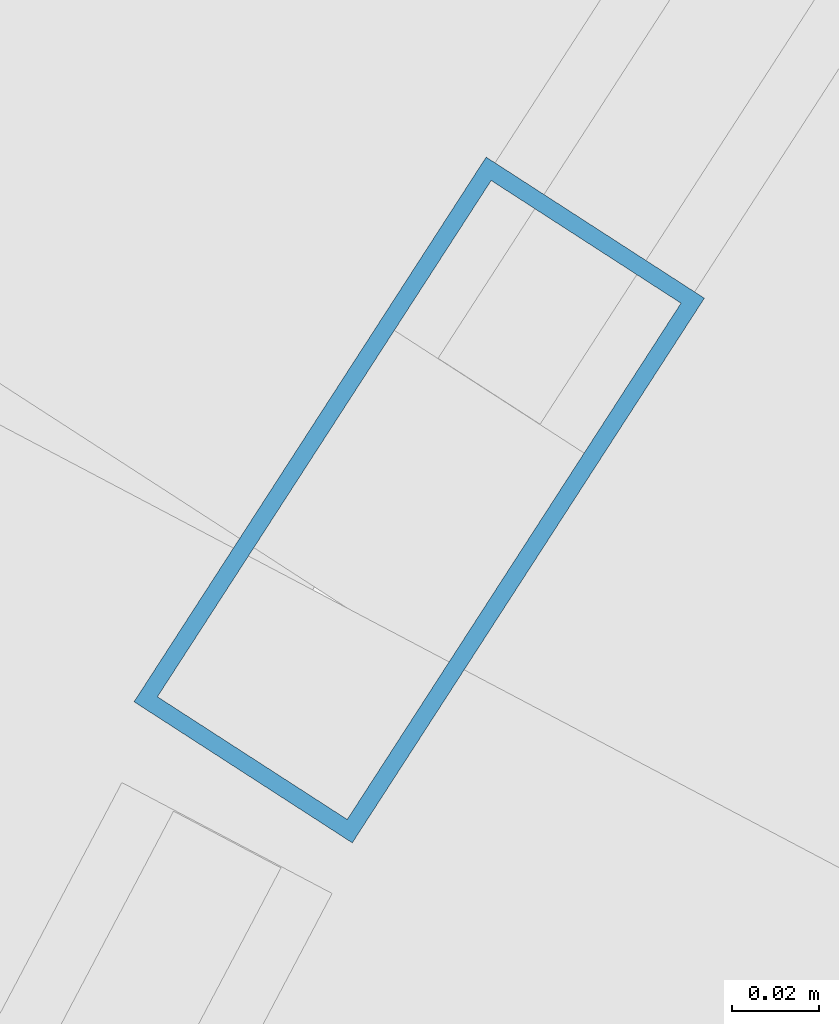
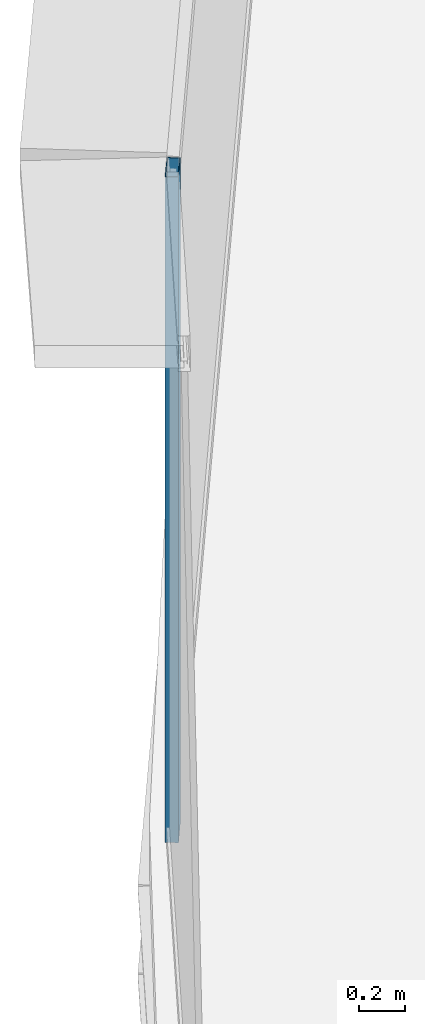
# One storey, part 16 of 37: 1 member, 1 element without a shape of its own.
"""IFC4 building model written with IfcOpenShell, lengths in metres."""

from ifc_helpers import new_model, si_unit, direction, frame, origin, origin_2d, place, context, subcontext, project, spatial, hollow_rectangle, extrude, source, transform, mapped, material, layer, layer_set, material_profile, profile_set, type_object, element, aggregate, save


model = new_model("IFC4")

# Units and contexts
model_context = context("Model", 3, precision=1e-05, world=origin(), true_north=direction((0.0, 1.0)))
body_context = subcontext(model_context, "Body", "Model", "MODEL_VIEW")
ifc_project = project(units=[si_unit("LENGTHUNIT", "METRE"), si_unit("AREAUNIT", "SQUARE_METRE"), si_unit("VOLUMEUNIT", "CUBIC_METRE"), si_unit("PLANEANGLEUNIT", "RADIAN"), si_unit("MASSUNIT", "GRAM", prefix="KILO"), si_unit("THERMODYNAMICTEMPERATUREUNIT", "KELVIN"), si_unit("POWERUNIT", "WATT")], contexts=[model_context])

# Site, building, storey
site_placement = place(None, origin())
site = spatial("IfcSite", under=ifc_project, at=site_placement, CompositionType="ELEMENT")
building_placement = place(site_placement, origin())
building = spatial("IfcBuilding", under=site, at=building_placement, Name="Yunzhuo Pagoda Commons", CompositionType="ELEMENT")
storey_placement = place(building_placement, frame((0.0, 0.0, 199.9599609375)))
storey = spatial("IfcBuildingStorey", under=building, at=storey_placement, Name="L50", CompositionType="ELEMENT", Elevation=199.9599609375)

# Curtain wall, member
ifc_material = material(Name="Anodized aluminium 6063-T6", Category="aluminium")
ifc_layer = layer(ifc_material, 0.14990234375)
ifc_layer_set = layer_set([ifc_layer], Name="Anodized aluminium 6063-T6")
curtain_wall_type = type_object("IfcCurtainWallType", Name="CW-MID Mid-Zone Ribbon Curtain Wall", PredefinedType="NOTDEFINED", material=ifc_layer_set)
curtain_wall_placement = place(storey_placement, origin())
curtain_wall = element("IfcCurtainWall", 1, at=curtain_wall_placement, inside=storey, type_object=curtain_wall_type, Name="L50 curtain wall CW-L50-F3B2", PredefinedType="NOTDEFINED")
ifc_material_profile = material_profile(ifc_material, hollow_rectangle(XDim=0.06005859375, YDim=0.14990234375, WallThickness=0.00390625, at=origin_2d()), Name="Anodized aluminium 6063-T6")
ifc_profile_set = profile_set([ifc_material_profile], Name="Anodized aluminium 6063-T6")
member_type = type_object("IfcMemberType", Name="CW-MID-M Mullion RHS 150x60x4", PredefinedType="MULLION", material=ifc_profile_set)
shared_shape = source(origin(), body_context, "Body", "SweptSolid", [
    extrude(hollow_rectangle(XDim=0.06005859375, YDim=0.14990234375, WallThickness=0.00390625, at=origin_2d()), origin(), (0.0, 0.0, 1.0), 3.5400390625),
])
member_placement = place(storey_placement, frame((23.89208984375, 55.44677734375, 0.0), z_axis=(0.0, 0.0, 1.0), x_axis=(0.839794048542, -0.542905107761, 0.0)))
member = element("IfcMember", 2, at=member_placement, type_object=member_type, Name="CW mullion 2", PredefinedType="MULLION", context=body_context, shape_type="MappedRepresentation", body=[
    mapped(shared_shape, transform((0.0, 0.0, 0.0), scale=1.0)),
])
aggregate(curtain_wall, [member])

save(model, "model.ifc")
